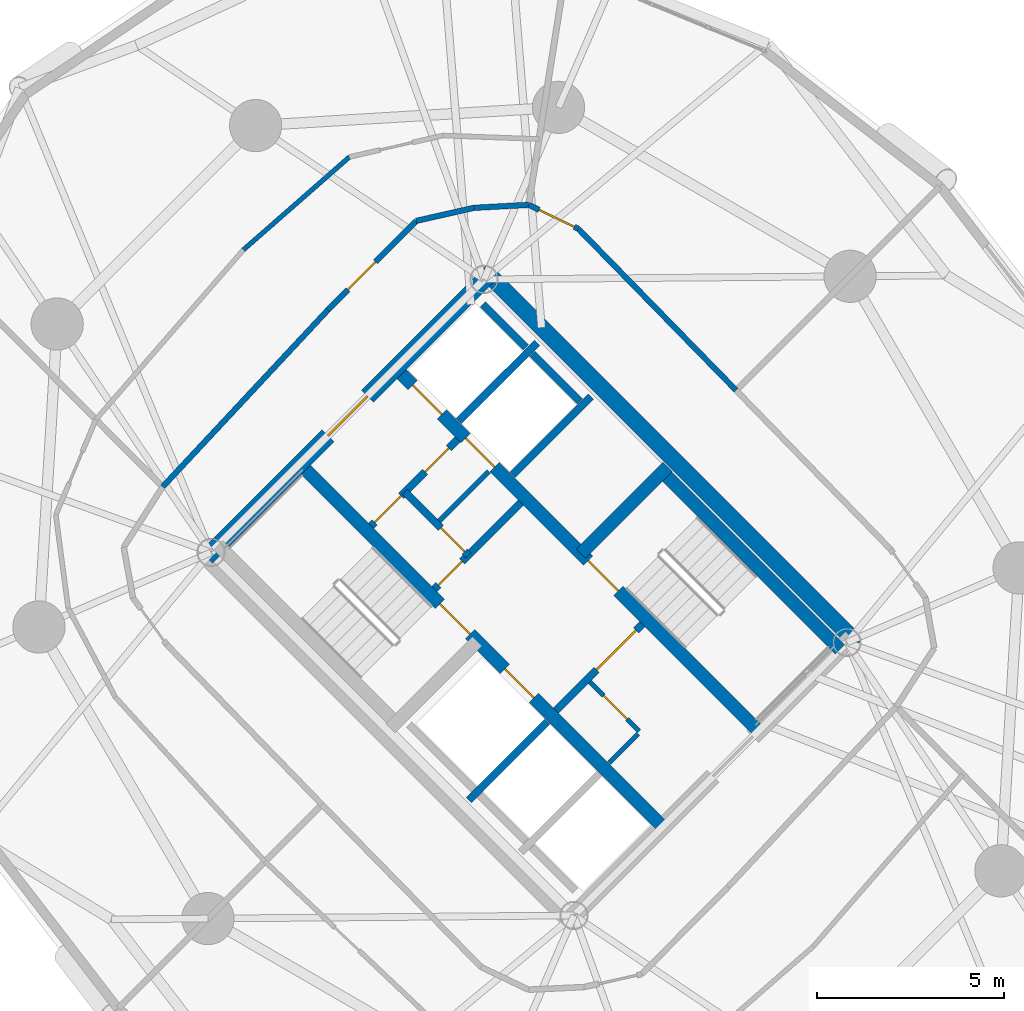
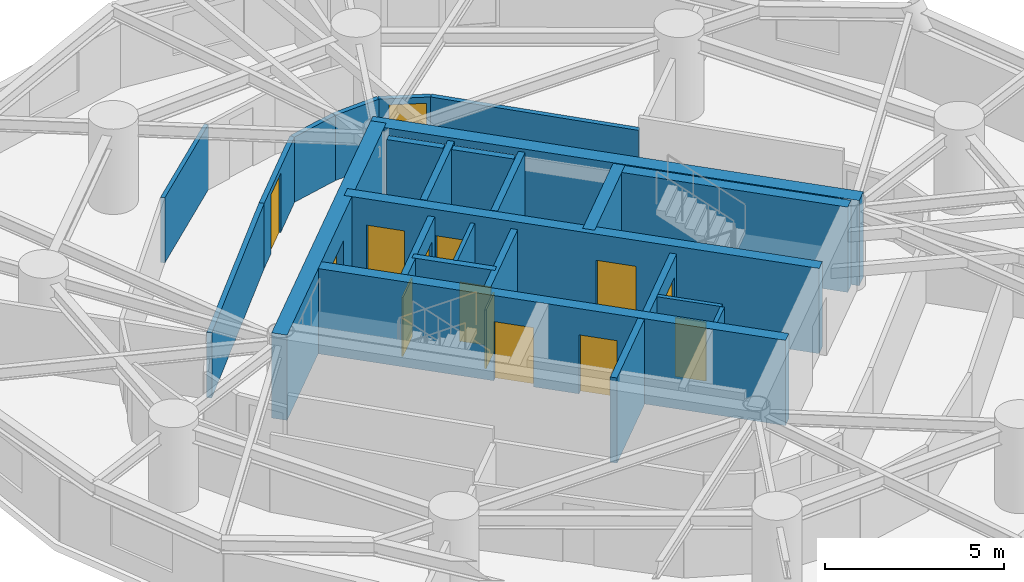
# One storey, part 13 of 17: 25 walls, 14 doors, 14 openings.
"""IFC4 building model written with IfcOpenShell, lengths in metres."""

from ifc_helpers import new_model, si_unit, direction, frame, frame_2d, origin, place, context, subcontext, project, spatial, rectangle, extrude, source, transform, mapped, material, layer, layer_set, type_object, element, fill, save


model = new_model("IFC4")

# Units and contexts
model_context = context("Model", 3, precision=1e-05, world=origin(), true_north=direction((0.0, 1.0)))
body_context = subcontext(model_context, "Body", "Model", "MODEL_VIEW")
ifc_project = project(units=[si_unit("LENGTHUNIT", "METRE"), si_unit("AREAUNIT", "SQUARE_METRE"), si_unit("VOLUMEUNIT", "CUBIC_METRE"), si_unit("PLANEANGLEUNIT", "RADIAN"), si_unit("MASSUNIT", "GRAM", prefix="KILO")], contexts=[model_context])

# Site, building, storey
site_placement = place(None, origin())
site = spatial("IfcSite", under=ifc_project, at=site_placement, CompositionType="ELEMENT")
building_placement = place(site_placement, origin())
building = spatial("IfcBuilding", under=site, at=building_placement, Name="Cununo Teusaquillo Station Towers", CompositionType="ELEMENT")
storey_placement = place(building_placement, frame((0.0, 0.0, 90.52001953125)))
storey = spatial("IfcBuildingStorey", under=building, at=storey_placement, Name="L28", CompositionType="ELEMENT", Elevation=90.52001953125)

# Walls
ifc_material_1 = material(Name="Concrete C50/60", Category="concrete")
ifc_layer_1 = layer(ifc_material_1, 0.199951171875)
ifc_layer_set_1 = layer_set([ifc_layer_1], Name="Concrete C50/60")
wall_type_1 = type_object("IfcWallType", Name="WL-CORE-200", PredefinedType="SHEAR", material=ifc_layer_set_1)
for number, where, z_axis, x_axis, name in (
    (1, (55.8876953125, 19.0693359375, 0.0), (0.0, 0.0, 1.0), (0.707106781187, 0.707106781187, 0.0), "L28 Tower B Firefighting Lift Shaft South Shear Wall"),
    (2, (57.0615234375, 27.781005859375, 0.0), (0.0, 0.0, 1.0), (0.707106781187, 0.707106781187, 0.0), "L28 Tower B Low-Rise Lift Hoistway South Shear Wall"),
):
    element("IfcWall", number, at=place(storey_placement, frame(where, z_axis=z_axis, x_axis=x_axis)), inside=storey, type_object=wall_type_1, Name=name, PredefinedType="SHEAR", context=body_context, shape_type="SweptSolid", body=[
        extrude(rectangle(XDim=2.969970703125, YDim=0.199951171875, at=frame_2d((1.48486328125, 0.0))), origin(), (0.0, 0.0, 1.0), 2.909912109375),
    ])
wall_1_placement = place(storey_placement, frame((55.615478515625, 29.22705078125, 0.0), z_axis=(0.0, 0.0, 1.0), x_axis=(0.707147878904, 0.70706568108, 0.0)))
element("IfcWall", 3, at=wall_1_placement, inside=storey, type_object=wall_type_1, Name="L28 Tower B Low-Rise Lift Hoistway Divider Shear Wall", PredefinedType="SHEAR", context=body_context, shape_type="SweptSolid", body=[
    extrude(rectangle(XDim=2.97021484375, YDim=0.199951171875, at=frame_2d((1.485107421875, 0.0))), origin(), (0.0, 0.0, 1.0), 2.909912109375),
])
wall_2_placement = place(storey_placement, frame((58.86474609375, 29.75390625, 0.0), z_axis=(0.0, 0.0, 1.0), x_axis=(-0.707174411312, 0.707039144592, 0.0)))
element("IfcWall", 4, at=wall_2_placement, inside=storey, type_object=wall_type_1, Name="L28 Tower B Low-Rise Lift 1 Shaft Rear Shear Wall", PredefinedType="SHEAR", context=body_context, shape_type="SweptSolid", body=[
    extrude(rectangle(XDim=1.804931640625, YDim=0.199951171875, at=frame_2d((0.90234375, 0.0))), origin(), (0.0, 0.0, 1.0), 2.909912109375),
])
wall_3_placement = place(storey_placement, frame((57.418701171875, 31.19970703125, 0.0), z_axis=(0.0, 0.0, 1.0), x_axis=(-0.707032117043, 0.707181437447, 0.0)))
element("IfcWall", 5, at=wall_3_placement, inside=storey, type_object=wall_type_1, Name="L28 Tower B Low-Rise Lift 2 Shaft Rear Shear Wall", PredefinedType="SHEAR", context=body_context, shape_type="SweptSolid", body=[
    extrude(rectangle(XDim=1.635009765625, YDim=0.199951171875, at=frame_2d((0.8173828125, 0.0))), origin(), (0.0, 0.0, 1.0), 2.909912109375),
])

# Wall, openings, doors
ifc_material_2 = material(Name="Concrete C50/60", Category="concrete")
ifc_layer_2 = layer(ifc_material_2, 0.35009765625)
ifc_layer_set_2 = layer_set([ifc_layer_2], Name="Concrete C50/60")
wall_type_2 = type_object("IfcWallType", Name="WL-CORE-350", PredefinedType="SHEAR", material=ifc_layer_set_2)
wall_4_placement = place(storey_placement, frame((61.077880859375, 18.355224609375, 0.0), z_axis=(0.0, 0.0, 1.0), x_axis=(-0.707106781187, 0.707106781187, 0.0)))
wall_4 = element("IfcWall", 6, at=wall_4_placement, inside=storey, type_object=wall_type_2, Name="L28 Tower B Core Shear Wall IW", PredefinedType="SHEAR", context=body_context, shape_type="SweptSolid", body=[
    extrude(rectangle(XDim=13.75, YDim=0.35009765625, at=frame_2d((6.875, 0.0))), origin(), (0.0, 0.0, 1.0), 2.909912109375),
])
shared_shape_1 = source(origin(), body_context, "Body", "SweptSolid", [
    extrude(rectangle(XDim=1.10009765625, YDim=2.014892578125, at=frame_2d((0.550048828125, 1.00732421875))), frame((0.0, 0.18505859375, 0.0), z_axis=(0.0, -1.0, 0.0), x_axis=(1.0, 0.0, 0.0)), (0.0, 0.0, 1.0), 0.3701171875),
])
opening_1_placement = place(wall_4_placement, frame((4.875, 0.0, 0.0)))
opening_1 = element("IfcOpeningElement", 7, at=opening_1_placement, cuts=wall_4, Name="Opening LD-01", PredefinedType="OPENING", context=body_context, shape_type="MappedRepresentation", body=[
    mapped(shared_shape_1, transform((0.0, 0.0, 0.0), x_axis=(1.0, 0.0, 0.0), y_axis=(0.0, 1.0, 0.0), z_axis=(0.0, 0.0, 1.0), scale=1.0)),
])
shared_shape_2 = source(origin(), body_context, "Body", "SweptSolid", [
    extrude(rectangle(XDim=1.14990234375, YDim=2.02001953125, at=frame_2d((0.574951171875, 1.010009765625))), frame((0.0, 0.18505859375, 0.0), z_axis=(0.0, -1.0, 0.0), x_axis=(1.0, 0.0, 0.0)), (0.0, 0.0, 1.0), 0.3701171875),
])
opening_2_placement = place(wall_4_placement, frame((7.294921875, 0.0, 0.0)))
opening_2 = element("IfcOpeningElement", 8, at=opening_2_placement, cuts=wall_4, Name="Opening D-ST1", PredefinedType="OPENING", context=body_context, shape_type="MappedRepresentation", body=[
    mapped(shared_shape_2, transform((0.0, 0.0, 0.0), x_axis=(1.0, 0.0, 0.0), y_axis=(0.0, 1.0, 0.0), z_axis=(0.0, 0.0, 1.0), scale=1.0)),
])
ifc_material_3 = material(Name="Galvanised fire-rated hollow steel door assembly", Category="steel")
door_type_1 = type_object("IfcDoorType", Name="DR-LIFT-1100", OperationType="SLIDING_TO_LEFT", PredefinedType="DOOR", material=ifc_material_3)
shared_shape_3 = source(origin(), body_context, "Body", "SweptSolid", [
    extrude(rectangle(XDim=1.10009765625, YDim=2.014892578125, at=frame_2d((0.550048828125, 1.00732421875))), frame((0.0, 0.02490234375, 0.0), z_axis=(0.0, -1.0, 0.0), x_axis=(1.0, 0.0, 0.0)), (0.0, 0.0, 1.0), 0.050048828125),
])
door_1_placement = place(opening_1_placement, origin())
door_1 = element("IfcDoor", 9, at=door_1_placement, inside=storey, type_object=door_type_1, Name="L28 Lift FL-T2 Sliding Landing Door", OperationType="SLIDING_TO_RIGHT", OverallHeight=2.014892578125, OverallWidth=1.10009765625, PredefinedType="DOOR", context=body_context, shape_type="MappedRepresentation", body=[
    mapped(shared_shape_3, transform((0.0, 0.0, 0.0), x_axis=(1.0, 0.0, 0.0), y_axis=(0.0, 1.0, 0.0), z_axis=(0.0, 0.0, 1.0), scale=1.0)),
])
fill(opening_1, door_1)
ifc_material_4 = material(Name="Galvanised fire-rated hollow steel door assembly", Category="steel")
door_type_2 = type_object("IfcDoorType", Name="DR-STAIR-1150", OperationType="NOTDEFINED", PredefinedType="DOOR", material=ifc_material_4)
shared_shape_4 = source(origin(), body_context, "Body", "SweptSolid", [
    extrude(rectangle(XDim=1.14990234375, YDim=2.02001953125, at=frame_2d((0.574951171875, 1.010009765625))), frame((0.0, 0.02490234375, 0.0), z_axis=(0.0, -1.0, 0.0), x_axis=(1.0, 0.0, 0.0)), (0.0, 0.0, 1.0), 0.050048828125),
])
door_2_placement = place(opening_2_placement, origin())
door_2 = element("IfcDoor", 10, at=door_2_placement, inside=storey, type_object=door_type_2, Name="L28 Tower B Exit Stair 1 Fire Door", OperationType="SINGLE_SWING_RIGHT", OverallHeight=2.02001953125, OverallWidth=1.14990234375, PredefinedType="DOOR", context=body_context, shape_type="MappedRepresentation", body=[
    mapped(shared_shape_4, transform((0.0, 0.0, 0.0), x_axis=(1.0, 0.0, 0.0), y_axis=(0.0, 1.0, 0.0), z_axis=(0.0, 0.0, 1.0), scale=1.0)),
])
fill(opening_2, door_2)

wall_5_placement = place(storey_placement, frame((63.644775390625, 20.922119140625, 0.0), z_axis=(0.0, 0.0, 1.0), x_axis=(-0.707106781187, 0.707106781187, 0.0)))
wall_5 = element("IfcWall", 11, at=wall_5_placement, inside=storey, type_object=wall_type_2, Name="L28 Tower B Core Shear Wall IE", PredefinedType="SHEAR", context=body_context, shape_type="SweptSolid", body=[
    extrude(rectangle(XDim=13.75, YDim=0.35009765625, at=frame_2d((6.875, 0.0))), origin(), (0.0, 0.0, 1.0), 2.909912109375),
])
opening_3_placement = place(wall_5_placement, frame((10.0, 0.0, 0.0)))
opening_3 = element("IfcOpeningElement", 12, at=opening_3_placement, cuts=wall_5, Name="Opening LD-01", PredefinedType="OPENING", context=body_context, shape_type="MappedRepresentation", body=[
    mapped(shared_shape_1, transform((0.0, 0.0, 0.0), x_axis=(1.0, 0.0, 0.0), y_axis=(0.0, 1.0, 0.0), z_axis=(0.0, 0.0, 1.0), scale=1.0)),
])
opening_4_placement = place(wall_5_placement, frame((12.0, 0.0, 0.0)))
opening_4 = element("IfcOpeningElement", 13, at=opening_4_placement, cuts=wall_5, Name="Opening LD-01", PredefinedType="OPENING", context=body_context, shape_type="MappedRepresentation", body=[
    mapped(shared_shape_1, transform((0.0, 0.0, 0.0), x_axis=(1.0, 0.0, 0.0), y_axis=(0.0, 1.0, 0.0), z_axis=(0.0, 0.0, 1.0), scale=1.0)),
])
opening_5_placement = place(wall_5_placement, frame((5.304931640625, 0.0, 0.0)))
opening_5 = element("IfcOpeningElement", 14, at=opening_5_placement, cuts=wall_5, Name="Opening D-ST1", PredefinedType="OPENING", context=body_context, shape_type="MappedRepresentation", body=[
    mapped(shared_shape_2, transform((0.0, 0.0, 0.0), x_axis=(1.0, 0.0, 0.0), y_axis=(0.0, 1.0, 0.0), z_axis=(0.0, 0.0, 1.0), scale=1.0)),
])
door_3_placement = place(opening_3_placement, origin())
door_3 = element("IfcDoor", 15, at=door_3_placement, inside=storey, type_object=door_type_1, Name="L28 Lift PL-T2-L1 Sliding Landing Door", OperationType="SLIDING_TO_RIGHT", OverallHeight=2.014892578125, OverallWidth=1.10009765625, PredefinedType="DOOR", context=body_context, shape_type="MappedRepresentation", body=[
    mapped(shared_shape_3, transform((0.0, 0.0, 0.0), x_axis=(1.0, 0.0, 0.0), y_axis=(0.0, 1.0, 0.0), z_axis=(0.0, 0.0, 1.0), scale=1.0)),
])
fill(opening_3, door_3)
door_4_placement = place(opening_4_placement, origin())
door_4 = element("IfcDoor", 16, at=door_4_placement, inside=storey, type_object=door_type_1, Name="L28 Lift PL-T2-L2 Sliding Landing Door", OperationType="SLIDING_TO_LEFT", OverallHeight=2.014892578125, OverallWidth=1.10009765625, PredefinedType="DOOR", context=body_context, shape_type="MappedRepresentation", body=[
    mapped(shared_shape_3, transform((0.0, 0.0, 0.0), x_axis=(1.0, 0.0, 0.0), y_axis=(0.0, 1.0, 0.0), z_axis=(0.0, 0.0, 1.0), scale=1.0)),
])
fill(opening_4, door_4)
door_5_placement = place(opening_5_placement, origin())
door_5 = element("IfcDoor", 17, at=door_5_placement, inside=storey, type_object=door_type_2, Name="L28 Tower B Exit Stair 2 Fire Door", OperationType="SINGLE_SWING_LEFT", OverallHeight=2.02001953125, OverallWidth=1.14990234375, PredefinedType="DOOR", context=body_context, shape_type="MappedRepresentation", body=[
    mapped(shared_shape_4, transform((0.0, 0.0, 0.0), x_axis=(1.0, 0.0, 0.0), y_axis=(0.0, 1.0, 0.0), z_axis=(0.0, 0.0, 1.0), scale=1.0)),
])
fill(opening_5, door_5)

# Walls
wall_6_placement = place(storey_placement, frame((65.82958984375, 23.10693359375, 0.0), z_axis=(0.0, 0.0, 1.0), x_axis=(-0.707088616009, 0.707124945897, 0.0)))
element("IfcWall", 18, at=wall_6_placement, inside=storey, type_object=wall_type_2, Name="L28 Tower B Core Shear Wall ST2E", PredefinedType="SHEAR", context=body_context, shape_type="SweptSolid", body=[
    extrude(rectangle(XDim=6.72021484375, YDim=0.35009765625, at=frame_2d((3.360107421875, 0.0))), origin(), (0.0, 0.0, 1.0), 2.909912109375),
])
wall_7_placement = place(storey_placement, frame((58.89306640625, 25.673828125, 0.0), z_axis=(0.0, 0.0, 1.0), x_axis=(0.707106781187, 0.707106781187, 0.0)))
element("IfcWall", 19, at=wall_7_placement, inside=storey, type_object=wall_type_2, Name="L28 Tower B Core Shear Wall ST2N", PredefinedType="SHEAR", context=body_context, shape_type="SweptSolid", body=[
    extrude(rectangle(XDim=3.284912109375, YDim=0.35009765625, at=frame_2d((1.642578125, 0.0))), origin(), (0.0, 0.0, 1.0), 2.909912109375),
])
ifc_material_5 = material(Name="Concrete C60/75", Category="concrete")
ifc_layer_3 = layer(ifc_material_5, 0.449951171875)
ifc_layer_set_3 = layer_set([ifc_layer_3], Name="Concrete C60/75")
wall_type_3 = type_object("IfcWallType", Name="WL-CORE-450", PredefinedType="SHEAR", material=ifc_layer_set_3)
wall_8_placement = place(storey_placement, frame((66.303466796875, 23.2626953125, 0.0), z_axis=(0.0, 0.0, 1.0), x_axis=(-0.707106781187, 0.707106781187, 0.0)))
element("IfcWall", 20, at=wall_8_placement, inside=storey, type_object=wall_type_3, Name="L28 Tower B Core Shear Wall E", PredefinedType="SHEAR", context=body_context, shape_type="SweptSolid", body=[
    extrude(rectangle(XDim=14.19970703125, YDim=0.449951171875, at=frame_2d((7.099853515625, 0.0))), origin(), (0.0, 0.0, 1.0), 2.909912109375),
])

# Wall, opening, door
wall_9_placement = place(storey_placement, frame((48.855712890625, 25.578369140625, 0.0), z_axis=(0.0, 0.0, 1.0), x_axis=(0.707106781187, 0.707106781187, 0.0)))
wall_9 = element("IfcWall", 21, at=wall_9_placement, inside=storey, type_object=wall_type_3, Name="L28 Tower B Core Shear Wall N", PredefinedType="SHEAR", context=body_context, shape_type="SweptSolid", body=[
    extrude(rectangle(XDim=10.69970703125, YDim=0.449951171875, at=frame_2d((5.349853515625, 0.0))), origin(), (0.0, 0.0, 1.0), 2.909912109375),
])
shared_shape_5 = source(origin(), body_context, "Body", "SweptSolid", [
    extrude(rectangle(XDim=1.5, YDim=2.02001953125, at=frame_2d((0.75, 1.010009765625))), frame((0.0, 0.23486328125, 0.0), z_axis=(0.0, -1.0, 0.0), x_axis=(1.0, 0.0, 0.0)), (0.0, 0.0, 1.0), 0.469970703125),
])
opening_6_placement = place(wall_9_placement, frame((4.60009765625, 0.0, 0.0)))
opening_6 = element("IfcOpeningElement", 22, at=opening_6_placement, cuts=wall_9, Name="Opening D-LB1", PredefinedType="OPENING", context=body_context, shape_type="MappedRepresentation", body=[
    mapped(shared_shape_5, transform((0.0, 0.0, 0.0), x_axis=(1.0, 0.0, 0.0), y_axis=(0.0, 1.0, 0.0), z_axis=(0.0, 0.0, 1.0), scale=1.0)),
])
ifc_material_6 = material(Name="Galvanised fire-rated hollow steel door assembly", Category="steel")
door_type_3 = type_object("IfcDoorType", Name="DR-LOBBY-1500", OperationType="DOUBLE_DOOR_SINGLE_SWING", PredefinedType="DOOR", material=ifc_material_6)
shared_shape_6 = source(origin(), body_context, "Body", "SweptSolid", [
    extrude(rectangle(XDim=1.5, YDim=2.02001953125, at=frame_2d((0.75, 1.010009765625))), frame((0.0, 0.02490234375, 0.0), z_axis=(0.0, -1.0, 0.0), x_axis=(1.0, 0.0, 0.0)), (0.0, 0.0, 1.0), 0.050048828125),
])
door_6_placement = place(opening_6_placement, origin())
door_6 = element("IfcDoor", 23, at=door_6_placement, inside=storey, type_object=door_type_3, Name="L28 Tower B North Core Lift Lobby Door", OperationType="DOUBLE_DOOR_SINGLE_SWING", OverallHeight=2.02001953125, OverallWidth=1.5, PredefinedType="DOOR", context=body_context, shape_type="MappedRepresentation", body=[
    mapped(shared_shape_6, transform((0.0, 0.0, 0.0), x_axis=(1.0, 0.0, 0.0), y_axis=(0.0, 1.0, 0.0), z_axis=(0.0, 0.0, 1.0), scale=1.0)),
])
fill(opening_6, door_6)

ifc_material_7 = material(Name="Fire-rated gypsum plasterboard partition assembly", Category="gypsum")
ifc_layer_4 = layer(ifc_material_7, 0.125)
ifc_layer_set_4 = layer_set([ifc_layer_4], Name="Fire-rated gypsum plasterboard partition assembly")
wall_type_4 = type_object("IfcWallType", Name="WL-PART-125", PredefinedType="PARTITIONING", material=ifc_layer_set_4)
wall_10_placement = place(storey_placement, frame((60.448486328125, 20.9150390625, 0.0), z_axis=(0.0, 0.0, 1.0), x_axis=(-0.707106781187, 0.707106781187, 0.0)))
wall_10 = element("IfcWall", 24, at=wall_10_placement, inside=storey, type_object=wall_type_4, Name="L28 Tower B North-West Lobby Store East Wall", PredefinedType="PARTITIONING", context=body_context, shape_type="SweptSolid", body=[
    extrude(rectangle(XDim=1.869873046875, YDim=0.125, at=frame_2d((0.93505859375, 0.0))), origin(), (0.0, 0.0, 1.0), 2.655029296875),
])
shared_shape_7 = source(origin(), body_context, "Body", "SweptSolid", [
    extrude(rectangle(XDim=0.89990234375, YDim=2.0048828125, at=frame_2d((0.449951171875, 1.00244140625))), frame((0.0, 0.072509765625, 0.0), z_axis=(0.0, -1.0, 0.0), x_axis=(1.0, 0.0, 0.0)), (0.0, 0.0, 1.0), 0.14501953125),
])
opening_7_placement = place(wall_10_placement, frame((0.449951171875, 0.0, 0.0)))
opening_7 = element("IfcOpeningElement", 25, at=opening_7_placement, cuts=wall_10, Name="Opening D-SR1", PredefinedType="OPENING", context=body_context, shape_type="MappedRepresentation", body=[
    mapped(shared_shape_7, transform((0.0, 0.0, 0.0), x_axis=(1.0, 0.0, 0.0), y_axis=(0.0, 1.0, 0.0), z_axis=(0.0, 0.0, 1.0), scale=1.0)),
])
ifc_material_8 = material(Name="Galvanised fire-rated hollow steel door assembly", Category="steel")
door_type_4 = type_object("IfcDoorType", Name="DR-STORE-900", OperationType="NOTDEFINED", PredefinedType="DOOR", material=ifc_material_8)
shared_shape_8 = source(origin(), body_context, "Body", "SweptSolid", [
    extrude(rectangle(XDim=0.89990234375, YDim=2.0048828125, at=frame_2d((0.449951171875, 1.00244140625))), frame((0.0, 0.02490234375, 0.0), z_axis=(0.0, -1.0, 0.0), x_axis=(1.0, 0.0, 0.0)), (0.0, 0.0, 1.0), 0.050048828125),
])
door_7_placement = place(opening_7_placement, origin())
door_7 = element("IfcDoor", 26, at=door_7_placement, inside=storey, type_object=door_type_4, Name="L28 Tower B South Lobby Data Store Door", OperationType="SINGLE_SWING_RIGHT", OverallHeight=2.0048828125, OverallWidth=0.89990234375, PredefinedType="DOOR", context=body_context, shape_type="MappedRepresentation", body=[
    mapped(shared_shape_8, transform((0.0, 0.0, 0.0), x_axis=(1.0, 0.0, 0.0), y_axis=(0.0, 1.0, 0.0), z_axis=(0.0, 0.0, 1.0), scale=1.0)),
])
fill(opening_7, door_7)

# Walls
wall_11_placement = place(storey_placement, frame((59.642578125, 20.06640625, 0.0), z_axis=(0.0, 0.0, 1.0), x_axis=(0.707106781187, 0.707106781187, 0.0)))
element("IfcWall", 27, at=wall_11_placement, inside=storey, type_object=wall_type_4, Name="L28 Tower B North-West Lobby Store South Wall", PredefinedType="PARTITIONING", context=body_context, shape_type="SweptSolid", body=[
    extrude(rectangle(XDim=1.10009765625, YDim=0.125, at=frame_2d((0.550048828125, 0.0))), origin(), (0.0, 0.0, 1.0), 2.655029296875),
])
wall_12_placement = place(storey_placement, frame((55.0888671875, 26.54345703125, 0.0), z_axis=(0.0, 0.0, 1.0), x_axis=(0.707106781187, 0.707106781187, 0.0)))
element("IfcWall", 28, at=wall_12_placement, inside=storey, type_object=wall_type_4, Name="L28 Tower B Core Horizontal Split Wall", PredefinedType="PARTITIONING", context=body_context, shape_type="SweptSolid", body=[
    extrude(rectangle(XDim=1.8798828125, YDim=0.125, at=frame_2d((0.93994140625, 0.0))), origin(), (0.0, 0.0, 1.0), 2.655029296875),
])
wall_13_placement = place(storey_placement, frame((52.6865234375, 36.304931640625, 0.0), z_axis=(0.0, 0.0, 1.0), x_axis=(-0.752332345919, -0.658783759123, 0.0)))
element("IfcWall", 29, at=wall_13_placement, inside=storey, type_object=wall_type_4, Name="L28 Tower B Parametric Prototyping Lab Concentric Partition Wall C04", PredefinedType="PARTITIONING", context=body_context, shape_type="SweptSolid", body=[
    extrude(rectangle(XDim=3.7763671875, YDim=0.125, at=frame_2d((1.88818359375, 0.0))), origin(), (0.0, 0.0, 1.0), 2.22509765625),
])
ifc_material_9 = material(Name="Fire-rated gypsum plasterboard partition assembly", Category="gypsum")
ifc_layer_5 = layer(ifc_material_9, 0.14990234375)
ifc_layer_set_5 = layer_set([ifc_layer_5], Name="Fire-rated gypsum plasterboard partition assembly")
wall_type_5 = type_object("IfcWallType", Name="WL-PART-150", PredefinedType="PARTITIONING", material=ifc_layer_set_5)
wall_14_placement = place(storey_placement, frame((63.05078125, 30.05078125, 0.0), z_axis=(0.0, 0.0, 1.0), x_axis=(-0.698846622234, 0.715271555839, 0.0)))
element("IfcWall", 30, at=wall_14_placement, inside=storey, type_object=wall_type_5, Name="L28 Tower B Corridor Ring Wall C00", PredefinedType="PARTITIONING", context=body_context, shape_type="SweptSolid", body=[
    extrude(rectangle(XDim=6.049560546875, YDim=0.14990234375, at=frame_2d((3.02490234375, 0.0))), origin(), (0.0, 0.0, 1.0), 2.22509765625),
])

# Wall, opening, door
wall_15_placement = place(storey_placement, frame((58.822998046875, 34.3779296875, 0.0), z_axis=(0.0, 0.0, 1.0), x_axis=(-0.900449137666, 0.434961320668, 0.0)))
wall_15 = element("IfcWall", 31, at=wall_15_placement, inside=storey, type_object=wall_type_5, Name="L28 Tower B Corridor Ring Wall C01", PredefinedType="PARTITIONING", context=body_context, shape_type="SweptSolid", body=[
    extrude(rectangle(XDim=1.4794921875, YDim=0.14990234375, at=frame_2d((0.73974609375, 0.0))), origin(), (0.0, 0.0, 1.0), 2.22509765625),
])
shared_shape_9 = source(origin(), body_context, "Body", "SweptSolid", [
    extrude(rectangle(XDim=1.050048828125, YDim=2.014892578125, at=frame_2d((0.52490234375, 1.00732421875))), frame((0.0, 0.0849609375, 0.0), z_axis=(0.0, -1.0, 0.0), x_axis=(1.0, 0.0, 0.0)), (0.0, 0.0, 1.0), 0.169921875),
])
opening_8_placement = place(wall_15_placement, frame((0.1201171875, 0.0, 0.0)))
opening_8 = element("IfcOpeningElement", 32, at=opening_8_placement, cuts=wall_15, Name="Opening D-SU1", PredefinedType="OPENING", context=body_context, shape_type="MappedRepresentation", body=[
    mapped(shared_shape_9, transform((0.0, 0.0, 0.0), x_axis=(1.0, 0.0, 0.0), y_axis=(0.0, 1.0, 0.0), z_axis=(0.0, 0.0, 1.0), scale=1.0)),
])
ifc_material_10 = material(Name="Acoustic solid-core hardwood leaf assembly", Category="wood")
door_type_5 = type_object("IfcDoorType", Name="DR-SUITE-1050", OperationType="NOTDEFINED", PredefinedType="DOOR", material=ifc_material_10)
shared_shape_10 = source(origin(), body_context, "Body", "SweptSolid", [
    extrude(rectangle(XDim=1.050048828125, YDim=2.014892578125, at=frame_2d((0.52490234375, 1.00732421875))), frame((0.0, 0.02490234375, 0.0), z_axis=(0.0, -1.0, 0.0), x_axis=(1.0, 0.0, 0.0)), (0.0, 0.0, 1.0), 0.050048828125),
])
door_8_placement = place(opening_8_placement, origin())
door_8 = element("IfcDoor", 33, at=door_8_placement, inside=storey, type_object=door_type_5, Name="L28 Tower B Digital Engineering Open Workplace Entrance Door", OperationType="SINGLE_SWING_RIGHT", OverallHeight=2.014892578125, OverallWidth=1.050048828125, PredefinedType="DOOR", context=body_context, shape_type="MappedRepresentation", body=[
    mapped(shared_shape_10, transform((0.0, 0.0, 0.0), x_axis=(1.0, 0.0, 0.0), y_axis=(0.0, 1.0, 0.0), z_axis=(0.0, 0.0, 1.0), scale=1.0)),
])
fill(opening_8, door_8)

# Walls
wall_16_placement = place(storey_placement, frame((57.49072265625, 35.021484375, 0.0), z_axis=(0.0, 0.0, 1.0), x_axis=(-0.9985194771, -0.054395347698, 0.0)))
element("IfcWall", 34, at=wall_16_placement, inside=storey, type_object=wall_type_5, Name="L28 Tower B Corridor Ring Wall C02", PredefinedType="PARTITIONING", context=body_context, shape_type="SweptSolid", body=[
    extrude(rectangle(XDim=1.47216796875, YDim=0.14990234375, at=frame_2d((0.736083984375, 0.0))), origin(), (0.0, 0.0, 1.0), 2.22509765625),
])
wall_17_placement = place(storey_placement, frame((56.020751953125, 34.94140625, 0.0), z_axis=(0.0, 0.0, 1.0), x_axis=(-0.975309543901, -0.220842236847, 0.0)))
element("IfcWall", 35, at=wall_17_placement, inside=storey, type_object=wall_type_5, Name="L28 Tower B Corridor Ring Wall C03", PredefinedType="PARTITIONING", context=body_context, shape_type="SweptSolid", body=[
    extrude(rectangle(XDim=1.585205078125, YDim=0.14990234375, at=frame_2d((0.79248046875, 0.0))), origin(), (0.0, 0.0, 1.0), 2.22509765625),
])

# Wall, opening, door
wall_18_placement = place(storey_placement, frame((54.474609375, 34.59130859375, 0.0), z_axis=(0.0, 0.0, 1.0), x_axis=(-0.703869646439, -0.710329163714, 0.0)))
wall_18 = element("IfcWall", 36, at=wall_18_placement, inside=storey, type_object=wall_type_5, Name="L28 Tower B Corridor Ring Wall C04", PredefinedType="PARTITIONING", context=body_context, shape_type="SweptSolid", body=[
    extrude(rectangle(XDim=3.36376953125, YDim=0.14990234375, at=frame_2d((1.681884765625, 0.0))), origin(), (0.0, 0.0, 1.0), 2.22509765625),
])
opening_9_placement = place(wall_18_placement, frame((1.545654296875, 0.0, 0.0)))
opening_9 = element("IfcOpeningElement", 37, at=opening_9_placement, cuts=wall_18, Name="Opening D-SU1", PredefinedType="OPENING", context=body_context, shape_type="MappedRepresentation", body=[
    mapped(shared_shape_9, transform((0.0, 0.0, 0.0), x_axis=(1.0, 0.0, 0.0), y_axis=(0.0, 1.0, 0.0), z_axis=(0.0, 0.0, 1.0), scale=1.0)),
])
door_9_placement = place(opening_9_placement, origin())
door_9 = element("IfcDoor", 38, at=door_9_placement, inside=storey, type_object=door_type_5, Name="L28 Tower B Parametric Prototyping Lab Entrance Door", OperationType="SINGLE_SWING_LEFT", OverallHeight=2.014892578125, OverallWidth=1.050048828125, PredefinedType="DOOR", context=body_context, shape_type="MappedRepresentation", body=[
    mapped(shared_shape_10, transform((0.0, 0.0, 0.0), x_axis=(1.0, 0.0, 0.0), y_axis=(0.0, 1.0, 0.0), z_axis=(0.0, 0.0, 1.0), scale=1.0)),
])
fill(opening_9, door_9)

# Wall
wall_19_placement = place(storey_placement, frame((52.10693359375, 32.201904296875, 0.0), z_axis=(0.0, 0.0, 1.0), x_axis=(-0.682605209028, -0.730787334734, 0.0)))
element("IfcWall", 39, at=wall_19_placement, inside=storey, type_object=wall_type_5, Name="L28 Tower B Corridor Ring Wall C05", PredefinedType="PARTITIONING", context=body_context, shape_type="SweptSolid", body=[
    extrude(rectangle(XDim=6.48583984375, YDim=0.14990234375, at=frame_2d((3.242919921875, 0.0))), origin(), (0.0, 0.0, 1.0), 2.22509765625),
])

# Wall, opening, door
ifc_material_11 = material(Name="Fire-rated gypsum plasterboard partition assembly", Category="gypsum")
ifc_layer_6 = layer(ifc_material_11, 0.199951171875)
ifc_layer_set_6 = layer_set([ifc_layer_6], Name="Fire-rated gypsum plasterboard partition assembly")
wall_type_6 = type_object("IfcWallType", Name="WL-PART-200", PredefinedType="PARTITIONING", material=ifc_layer_set_6)
wall_20_placement = place(storey_placement, frame((58.214111328125, 21.466552734375, 0.0), z_axis=(0.0, 0.0, 1.0), x_axis=(0.707106781187, 0.707106781187, 0.0)))
wall_20 = element("IfcWall", 40, at=wall_20_placement, inside=storey, type_object=wall_type_6, Name="L28 Tower B Firefighting Lift Lobby South Fire Wall", PredefinedType="PARTITIONING", context=body_context, shape_type="SweptSolid", body=[
    extrude(rectangle(XDim=3.280029296875, YDim=0.199951171875, at=frame_2d((1.64013671875, 0.0))), origin(), (0.0, 0.0, 1.0), 2.655029296875),
])
shared_shape_11 = source(origin(), body_context, "Body", "SweptSolid", [
    extrude(rectangle(XDim=1.5, YDim=2.02001953125, at=frame_2d((0.75, 1.010009765625))), frame((0.0, 0.10986328125, 0.0), z_axis=(0.0, -1.0, 0.0), x_axis=(1.0, 0.0, 0.0)), (0.0, 0.0, 1.0), 0.219970703125),
])
opening_10_placement = place(wall_20_placement, frame((1.550048828125, 0.0, 0.0)))
opening_10 = element("IfcOpeningElement", 41, at=opening_10_placement, cuts=wall_20, Name="Opening D-LB1", PredefinedType="OPENING", context=body_context, shape_type="MappedRepresentation", body=[
    mapped(shared_shape_11, transform((0.0, 0.0, 0.0), x_axis=(1.0, 0.0, 0.0), y_axis=(0.0, 1.0, 0.0), z_axis=(0.0, 0.0, 1.0), scale=1.0)),
])
door_10_placement = place(opening_10_placement, origin())
door_10 = element("IfcDoor", 42, at=door_10_placement, inside=storey, type_object=door_type_3, Name="L28 Tower B Firefighting Lift Lobby South Fire Door", OperationType="DOUBLE_DOOR_SINGLE_SWING", OverallHeight=2.02001953125, OverallWidth=1.5, PredefinedType="DOOR", context=body_context, shape_type="MappedRepresentation", body=[
    mapped(shared_shape_6, transform((0.0, 0.0, 0.0), x_axis=(1.0, 0.0, 0.0), y_axis=(0.0, 1.0, 0.0), z_axis=(0.0, 0.0, 1.0), scale=1.0)),
])
fill(opening_10, door_10)

wall_21_placement = place(storey_placement, frame((54.96142578125, 24.71923828125, 0.0), z_axis=(0.0, 0.0, 1.0), x_axis=(0.707106781187, 0.707106781187, 0.0)))
wall_21 = element("IfcWall", 43, at=wall_21_placement, inside=storey, type_object=wall_type_6, Name="L28 Tower B Firefighting Lift Lobby North Fire Wall", PredefinedType="PARTITIONING", context=body_context, shape_type="SweptSolid", body=[
    extrude(rectangle(XDim=3.280029296875, YDim=0.199951171875, at=frame_2d((1.64013671875, 0.0))), origin(), (0.0, 0.0, 1.0), 2.655029296875),
])
shared_shape_12 = source(origin(), body_context, "Body", "SweptSolid", [
    extrude(rectangle(XDim=0.89990234375, YDim=2.0048828125, at=frame_2d((0.449951171875, 1.00244140625))), frame((0.0, 0.10986328125, 0.0), z_axis=(0.0, -1.0, 0.0), x_axis=(1.0, 0.0, 0.0)), (0.0, 0.0, 1.0), 0.219970703125),
])
opening_11_placement = place(wall_21_placement, frame((0.159912109375, 0.0, 0.0)))
opening_11 = element("IfcOpeningElement", 44, at=opening_11_placement, cuts=wall_21, Name="Opening D-SR1", PredefinedType="OPENING", context=body_context, shape_type="MappedRepresentation", body=[
    mapped(shared_shape_12, transform((0.0, 0.0, 0.0), x_axis=(1.0, 0.0, 0.0), y_axis=(0.0, 1.0, 0.0), z_axis=(0.0, 0.0, 1.0), scale=1.0)),
])
door_11_placement = place(opening_11_placement, origin())
door_11 = element("IfcDoor", 45, at=door_11_placement, inside=storey, type_object=door_type_4, Name="L28 Tower B Stair 1 Protected Vestibule South Door", OperationType="SINGLE_SWING_RIGHT", OverallHeight=2.0048828125, OverallWidth=0.89990234375, PredefinedType="DOOR", context=body_context, shape_type="MappedRepresentation", body=[
    mapped(shared_shape_8, transform((0.0, 0.0, 0.0), x_axis=(1.0, 0.0, 0.0), y_axis=(0.0, 1.0, 0.0), z_axis=(0.0, 0.0, 1.0), scale=1.0)),
])
fill(opening_11, door_11)

wall_22_placement = place(storey_placement, frame((55.873779296875, 25.63134765625, 0.0), z_axis=(0.0, 0.0, 1.0), x_axis=(-0.707157639372, 0.707055919343, 0.0)))
wall_22 = element("IfcWall", 46, at=wall_22_placement, inside=storey, type_object=wall_type_6, Name="L28 Tower B Stair 1 Vestibule Partition Wall", PredefinedType="PARTITIONING", context=body_context, shape_type="SweptSolid", body=[
    extrude(rectangle(XDim=2.400146484375, YDim=0.199951171875, at=frame_2d((1.2001953125, 0.0))), origin(), (0.0, 0.0, 1.0), 2.655029296875),
])
opening_12_placement = place(wall_22_placement, frame((0.139892578125, 0.0, 0.0)))
opening_12 = element("IfcOpeningElement", 47, at=opening_12_placement, cuts=wall_22, Name="Opening D-SR1", PredefinedType="OPENING", context=body_context, shape_type="MappedRepresentation", body=[
    mapped(shared_shape_12, transform((0.0, 0.0, 0.0), x_axis=(1.0, 0.0, 0.0), y_axis=(0.0, 1.0, 0.0), z_axis=(0.0, 0.0, 1.0), scale=1.0)),
])
door_12_placement = place(opening_12_placement, origin())
door_12 = element("IfcDoor", 48, at=door_12_placement, inside=storey, type_object=door_type_4, Name="L28 Tower B Core Linen Store Door", OperationType="SINGLE_SWING_LEFT", OverallHeight=2.0048828125, OverallWidth=0.89990234375, PredefinedType="DOOR", context=body_context, shape_type="MappedRepresentation", body=[
    mapped(shared_shape_8, transform((0.0, 0.0, 0.0), x_axis=(1.0, 0.0, 0.0), y_axis=(0.0, 1.0, 0.0), z_axis=(0.0, 0.0, 1.0), scale=1.0)),
])
fill(opening_12, door_12)

# Wall, openings, doors
wall_23_placement = place(storey_placement, frame((53.264404296875, 26.416259765625, 0.0), z_axis=(0.0, 0.0, 1.0), x_axis=(0.707106781187, 0.707106781187, 0.0)))
wall_23 = element("IfcWall", 49, at=wall_23_placement, inside=storey, type_object=wall_type_6, Name="L28 Tower B North Lift Lobby South Fire Wall", PredefinedType="PARTITIONING", context=body_context, shape_type="SweptSolid", body=[
    extrude(rectangle(XDim=3.280029296875, YDim=0.199951171875, at=frame_2d((1.64013671875, 0.0))), origin(), (0.0, 0.0, 1.0), 2.655029296875),
])
shared_shape_13 = source(origin(), body_context, "Body", "SweptSolid", [
    extrude(rectangle(XDim=1.0, YDim=2.014892578125, at=frame_2d((0.5, 1.00732421875))), frame((0.0, 0.10986328125, 0.0), z_axis=(0.0, -1.0, 0.0), x_axis=(1.0, 0.0, 0.0)), (0.0, 0.0, 1.0), 0.219970703125),
])
opening_13_placement = place(wall_23_placement, frame((0.139892578125, 0.0, 0.0)))
opening_13 = element("IfcOpeningElement", 50, at=opening_13_placement, cuts=wall_23, Name="Opening D-AC1", PredefinedType="OPENING", context=body_context, shape_type="MappedRepresentation", body=[
    mapped(shared_shape_13, transform((0.0, 0.0, 0.0), x_axis=(1.0, 0.0, 0.0), y_axis=(0.0, 1.0, 0.0), z_axis=(0.0, 0.0, 1.0), scale=1.0)),
])
opening_14_placement = place(wall_23_placement, frame((2.050048828125, 0.0, 0.0)))
opening_14 = element("IfcOpeningElement", 51, at=opening_14_placement, cuts=wall_23, Name="Opening D-SR1", PredefinedType="OPENING", context=body_context, shape_type="MappedRepresentation", body=[
    mapped(shared_shape_12, transform((0.0, 0.0, 0.0), x_axis=(1.0, 0.0, 0.0), y_axis=(0.0, 1.0, 0.0), z_axis=(0.0, 0.0, 1.0), scale=1.0)),
])
door_13_placement = place(opening_14_placement, origin())
door_13 = element("IfcDoor", 52, at=door_13_placement, inside=storey, type_object=door_type_4, Name="L28 Tower B Core Comms Room Door", OperationType="SINGLE_SWING_RIGHT", OverallHeight=2.0048828125, OverallWidth=0.89990234375, PredefinedType="DOOR", context=body_context, shape_type="MappedRepresentation", body=[
    mapped(shared_shape_8, transform((0.0, 0.0, 0.0), x_axis=(1.0, 0.0, 0.0), y_axis=(0.0, 1.0, 0.0), z_axis=(0.0, 0.0, 1.0), scale=1.0)),
])
fill(opening_14, door_13)
ifc_material_12 = material(Name="Acoustic solid-core hardwood leaf assembly", Category="wood")
door_type_6 = type_object("IfcDoorType", Name="DR-ACC-1000", OperationType="NOTDEFINED", PredefinedType="DOOR", material=ifc_material_12)
shared_shape_14 = source(origin(), body_context, "Body", "SweptSolid", [
    extrude(rectangle(XDim=1.0, YDim=2.014892578125, at=frame_2d((0.5, 1.00732421875))), frame((0.0, 0.02490234375, 0.0), z_axis=(0.0, -1.0, 0.0), x_axis=(1.0, 0.0, 0.0)), (0.0, 0.0, 1.0), 0.050048828125),
])
door_14_placement = place(opening_13_placement, origin())
door_14 = element("IfcDoor", 53, at=door_14_placement, inside=storey, type_object=door_type_6, Name="L28 Tower B North Lift Lobby to Stair 1 Vestibule Door", OperationType="SINGLE_SWING_LEFT", OverallHeight=2.014892578125, OverallWidth=1.0, PredefinedType="DOOR", context=body_context, shape_type="MappedRepresentation", body=[
    mapped(shared_shape_14, transform((0.0, 0.0, 0.0), x_axis=(1.0, 0.0, 0.0), y_axis=(0.0, 1.0, 0.0), z_axis=(0.0, 0.0, 1.0), scale=1.0)),
])
fill(opening_13, door_14)

save(model, "model.ifc")
